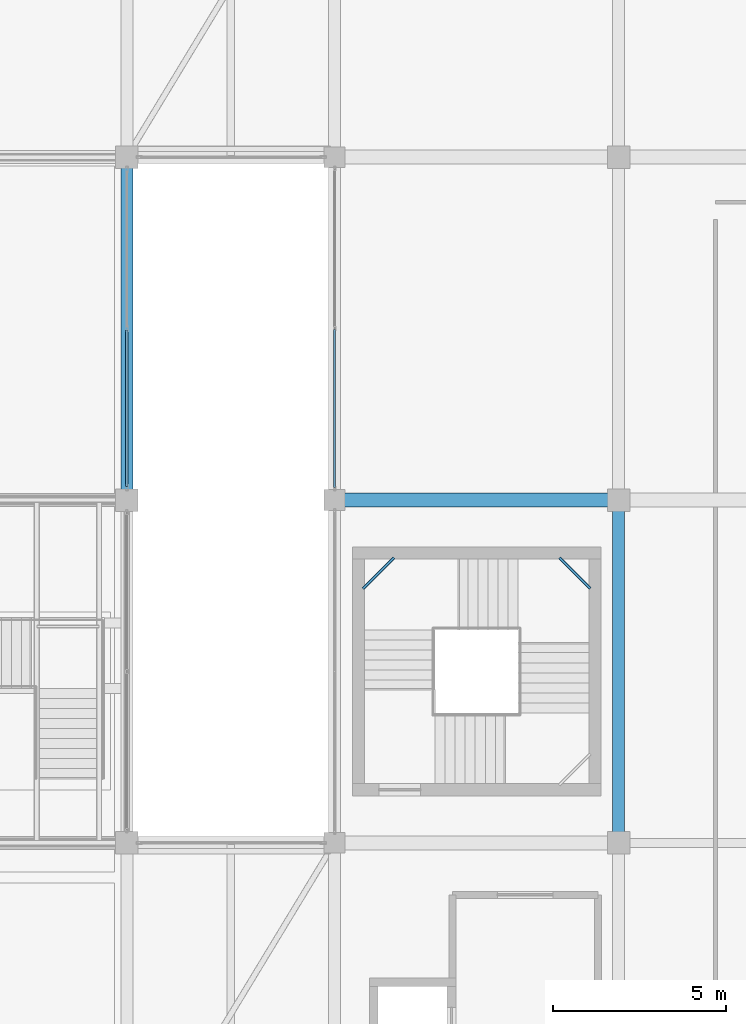
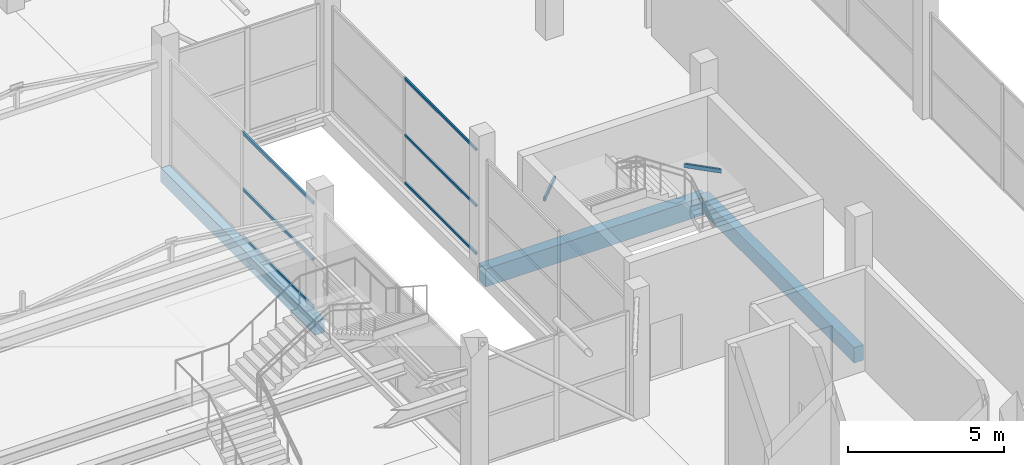
# One storey, part 30 of 66: 6 members, 5 beams, 2 elements without a shape of their own.
"""IFC4 building model written with IfcOpenShell, lengths in metres."""

from ifc_helpers import new_model, si_unit, direction, frame, origin, origin_2d, place, context, subcontext, project, spatial, rectangle, hollow_rectangle, extrude, material, layer, layer_set, material_profile, profile_set, type_object, element, aggregate, save


model = new_model("IFC4")

# Units and contexts
model_context = context("Model", 3, precision=1e-05, world=origin(), true_north=direction((0.0, 1.0)))
body_context = subcontext(model_context, "Body", "Model", "MODEL_VIEW")
ifc_project = project(units=[si_unit("LENGTHUNIT", "METRE"), si_unit("AREAUNIT", "SQUARE_METRE"), si_unit("VOLUMEUNIT", "CUBIC_METRE"), si_unit("PLANEANGLEUNIT", "RADIAN"), si_unit("MASSUNIT", "GRAM", prefix="KILO")], contexts=[model_context])

# Site, building, storey
site_placement = place(None, origin())
site = spatial("IfcSite", under=ifc_project, at=site_placement, CompositionType="ELEMENT")
building_placement = place(site_placement, origin())
building = spatial("IfcBuilding", under=site, at=building_placement, Name="Sillaruma Civic Art Gallery", CompositionType="ELEMENT")
storey_placement = place(building_placement, frame((0.0, 0.0, 57.1201171875)))
storey = spatial("IfcBuildingStorey", under=building, at=storey_placement, Name="L11", CompositionType="ELEMENT", Elevation=57.1201171875)

# Beams
ifc_material_1 = material(Name="Concrete H35 (35 MPa)", Category="concrete")
ifc_material_profile_1 = material_profile(ifc_material_1, rectangle(XDim=0.35009765625, YDim=0.60009765625, at=origin_2d()), Name="RCB350x600")
ifc_profile_set_1 = profile_set([ifc_material_profile_1], Name="Concrete H35 (35 MPa)")
beam_type_1 = type_object("IfcBeamType", Name="BM-BEAM-RCB350x600", PredefinedType="BEAM", material=ifc_profile_set_1)
beam_1_placement = place(storey_placement, frame((106.199951171875, 49.5, -0.550048828125), z_axis=(0.0, 1.0, 0.0), x_axis=(-1.0, 0.0, 0.0)))
element("IfcBeam", 1, at=beam_1_placement, inside=storey, type_object=beam_type_1, Name="Beam BM-06 (L10:M:6-7)", PredefinedType="BEAM", context=body_context, shape_type="SweptSolid", body=[
    extrude(rectangle(XDim=0.35009765625, YDim=0.60009765625, at=origin_2d()), origin(), (0.0, 0.0, 1.0), 9.89990234375),
])
ifc_material_profile_2 = material_profile(ifc_material_1, rectangle(XDim=0.39990234375, YDim=0.699951171875, at=origin_2d()), Name="RCB400x700")
ifc_profile_set_2 = profile_set([ifc_material_profile_2], Name="Concrete H35 (35 MPa)")
beam_type_2 = type_object("IfcBeamType", Name="BM-BEAM-RCB400x700", PredefinedType="BEAM", material=ifc_profile_set_2)
beam_2_placement = place(storey_placement, frame((98.0, 59.39990234375, -0.60009765625), z_axis=(1.0, 0.0, 0.0), x_axis=(0.0, 1.0, 0.0)))
element("IfcBeam", 2, at=beam_2_placement, inside=storey, type_object=beam_type_2, Name="Beam BM-04 (L10:7:L-M)", PredefinedType="BEAM", context=body_context, shape_type="SweptSolid", body=[
    extrude(rectangle(XDim=0.39990234375, YDim=0.699951171875, at=origin_2d()), origin(), (0.0, 0.0, 1.0), 8.199951171875),
])
ifc_material_2 = material(Name="Structural Steel ASTM A500 Gr.C", Category="steel")
ifc_material_profile_3 = material_profile(ifc_material_2, hollow_rectangle(XDim=0.080078125, YDim=0.159912109375, WallThickness=0.008056640625, InnerFilletRadius=0.008056640625, OuterFilletRadius=0.01611328125, at=origin_2d()), Name="HSS160x80x8")
ifc_profile_set_3 = profile_set([ifc_material_profile_3], Name="Structural Steel ASTM A500 Gr.C")
beam_type_3 = type_object("IfcBeamType", Name="BM-LND-HSS160", PredefinedType="BEAM", material=ifc_profile_set_3)
for number, where, z_axis, x_axis, name in (
    (3, (104.489990234375, 57.72998046875, 2.43994140625), (0.707106781187, -0.707106781187, 0.0), (0.707106781187, 0.707106781187, 0.0), "Stair Corner Landing Trimmer Beam (ST-04-L11-2)"),
    (4, (98.820068359375, 56.840087890625, 3.6298828125), (0.707106781187, 0.707106781187, 0.0), (-0.707106781187, 0.707106781187, 0.0), "Stair Corner Landing Trimmer Beam (ST-04-L11-3)"),
):
    element("IfcBeam", number, at=place(storey_placement, frame(where, z_axis=z_axis, x_axis=x_axis)), inside=storey, type_object=beam_type_3, Name=name, PredefinedType="BEAM", context=body_context, shape_type="SweptSolid", body=[
        extrude(hollow_rectangle(XDim=0.080078125, YDim=0.159912109375, WallThickness=0.008056640625, InnerFilletRadius=0.008056640625, OuterFilletRadius=0.01611328125, at=origin_2d()), origin(), (0.0, 0.0, 1.0), 1.258544921875),
    ])
ifc_material_profile_4 = material_profile(ifc_material_1, rectangle(XDim=0.35009765625, YDim=0.550048828125, at=origin_2d()), Name="RCB350x550")
ifc_profile_set_4 = profile_set([ifc_material_profile_4], Name="Concrete H35 (35 MPa)")
beam_type_4 = type_object("IfcBeamType", Name="BM-SPANDREL-RCB350x550", PredefinedType="SPANDREL", material=ifc_profile_set_4)
beam_3_placement = place(storey_placement, frame((92.0, 59.39990234375, -0.525146484375), z_axis=(0.0, 1.0, 0.0), x_axis=(-1.0, 0.0, 0.0)))
element("IfcBeam", 5, at=beam_3_placement, inside=storey, type_object=beam_type_4, Name="Beam BS-04 (L10:K:7-8)", PredefinedType="SPANDREL", context=body_context, shape_type="SweptSolid", body=[
    extrude(rectangle(XDim=0.35009765625, YDim=0.550048828125, at=origin_2d()), origin(), (0.0, 0.0, 1.0), 9.900146484375),
])

# Curtain wall, members
ifc_material_3 = material(Name="Thermally Broken Extruded Aluminium 6063-T6", Category="aluminium")
ifc_layer_1 = layer(ifc_material_3, 0.139892578125, Name="Thermally Broken Extruded Aluminium 6063-T6")
ifc_layer_set_1 = layer_set([ifc_layer_1], Name="Thermally Broken Extruded Aluminium 6063-T6")
curtain_wall_type_1 = type_object("IfcCurtainWallType", Name="CW-UNI-77", PredefinedType="NOTDEFINED", material=ifc_layer_set_1)
curtain_wall_1_placement = place(storey_placement, origin())
curtain_wall_1 = element("IfcCurtainWall", 6, at=curtain_wall_1_placement, inside=storey, type_object=curtain_wall_type_1, Name="Unitised Curtain Wall CW-77 (CW-L11-EBW-5)", PredefinedType="NOTDEFINED")
ifc_material_profile_5 = material_profile(ifc_material_3, hollow_rectangle(XDim=0.06005859375, YDim=0.10009765625, WallThickness=0.003173828125, at=origin_2d()), Name="CWT60x100")
ifc_profile_set_5 = profile_set([ifc_material_profile_5], Name="Thermally Broken Extruded Aluminium 6063-T6")
member_type_1 = type_object("IfcMemberType", Name="MEM-TRN-CWT60x100", PredefinedType="USERDEFINED", material=ifc_profile_set_5)
member_1_placement = place(storey_placement, frame((98.0, 59.760009765625, 0.02978515625), z_axis=(0.0, 1.0, 0.0), x_axis=(-1.0, 0.0, 0.0)))
member_1 = element("IfcMember", 7, at=member_1_placement, type_object=member_type_1, Name="CW-77 transom 1.1", ObjectType="TRANSOM", PredefinedType="USERDEFINED", context=body_context, shape_type="SweptSolid", body=[
    extrude(hollow_rectangle(XDim=0.06005859375, YDim=0.10009765625, WallThickness=0.003173828125, at=origin_2d()), origin(), (0.0, 0.0, 1.0), 4.56005859375),
])
member_2_placement = place(storey_placement, frame((98.0, 59.760009765625, 1.89501953125), z_axis=(0.0, 1.0, 0.0), x_axis=(-1.0, 0.0, 0.0)))
member_2 = element("IfcMember", 8, at=member_2_placement, type_object=member_type_1, Name="CW-77 transom 1.2", ObjectType="TRANSOM", PredefinedType="USERDEFINED", context=body_context, shape_type="SweptSolid", body=[
    extrude(hollow_rectangle(XDim=0.06005859375, YDim=0.10009765625, WallThickness=0.003173828125, at=origin_2d()), origin(), (0.0, 0.0, 1.0), 4.56005859375),
])
member_3_placement = place(storey_placement, frame((98.0, 59.760009765625, 4.08984375), z_axis=(0.0, 1.0, 0.0), x_axis=(-1.0, 0.0, 0.0)))
member_3 = element("IfcMember", 9, at=member_3_placement, type_object=member_type_1, Name="CW-77 transom 1.3", ObjectType="TRANSOM", PredefinedType="USERDEFINED", context=body_context, shape_type="SweptSolid", body=[
    extrude(hollow_rectangle(XDim=0.06005859375, YDim=0.10009765625, WallThickness=0.003173828125, at=origin_2d()), origin(), (0.0, 0.0, 1.0), 4.56005859375),
])
aggregate(curtain_wall_1, [member_1, member_2, member_3])

ifc_layer_2 = layer(ifc_material_3, 0.179931640625, Name="Thermally Broken Extruded Aluminium 6063-T6")
ifc_layer_set_2 = layer_set([ifc_layer_2], Name="Thermally Broken Extruded Aluminium 6063-T6")
curtain_wall_type_2 = type_object("IfcCurtainWallType", Name="CW-UNI-72", PredefinedType="NOTDEFINED", material=ifc_layer_set_2)
curtain_wall_2_placement = place(storey_placement, origin())
curtain_wall_2 = element("IfcCurtainWall", 10, at=curtain_wall_2_placement, inside=storey, type_object=curtain_wall_type_2, Name="Unitised Curtain Wall CW-72 (CW-L11-WBE-5)", PredefinedType="NOTDEFINED")
ifc_material_profile_6 = material_profile(ifc_material_3, hollow_rectangle(XDim=0.06494140625, YDim=0.1201171875, WallThickness=0.00341796875, at=origin_2d()), Name="CWT65x120")
ifc_profile_set_6 = profile_set([ifc_material_profile_6], Name="Thermally Broken Extruded Aluminium 6063-T6")
member_type_2 = type_object("IfcMemberType", Name="MEM-TRN-CWT65x120", PredefinedType="USERDEFINED", material=ifc_profile_set_6)
member_4_placement = place(storey_placement, frame((92.0, 59.794921875, 0.032470703125), z_axis=(0.0, 1.0, 0.0), x_axis=(-1.0, 0.0, 0.0)))
member_4 = element("IfcMember", 11, at=member_4_placement, type_object=member_type_2, Name="CW-72 transom 1.1", ObjectType="TRANSOM", PredefinedType="USERDEFINED", context=body_context, shape_type="SweptSolid", body=[
    extrude(hollow_rectangle(XDim=0.06494140625, YDim=0.1201171875, WallThickness=0.00341796875, at=origin_2d()), origin(), (0.0, 0.0, 1.0), 4.52001953125),
])
member_5_placement = place(storey_placement, frame((92.0, 59.794921875, 1.89501953125), z_axis=(0.0, 1.0, 0.0), x_axis=(-1.0, 0.0, 0.0)))
member_5 = element("IfcMember", 12, at=member_5_placement, type_object=member_type_2, Name="CW-72 transom 1.2", ObjectType="TRANSOM", PredefinedType="USERDEFINED", context=body_context, shape_type="SweptSolid", body=[
    extrude(hollow_rectangle(XDim=0.06494140625, YDim=0.1201171875, WallThickness=0.00341796875, at=origin_2d()), origin(), (0.0, 0.0, 1.0), 4.52001953125),
])
member_6_placement = place(storey_placement, frame((92.0, 59.794921875, 4.08740234375), z_axis=(0.0, 1.0, 0.0), x_axis=(-1.0, 0.0, 0.0)))
member_6 = element("IfcMember", 13, at=member_6_placement, type_object=member_type_2, Name="CW-72 transom 1.3", ObjectType="TRANSOM", PredefinedType="USERDEFINED", context=body_context, shape_type="SweptSolid", body=[
    extrude(hollow_rectangle(XDim=0.06494140625, YDim=0.1201171875, WallThickness=0.00341796875, at=origin_2d()), origin(), (0.0, 0.0, 1.0), 4.52001953125),
])
aggregate(curtain_wall_2, [member_4, member_5, member_6])

save(model, "model.ifc")
